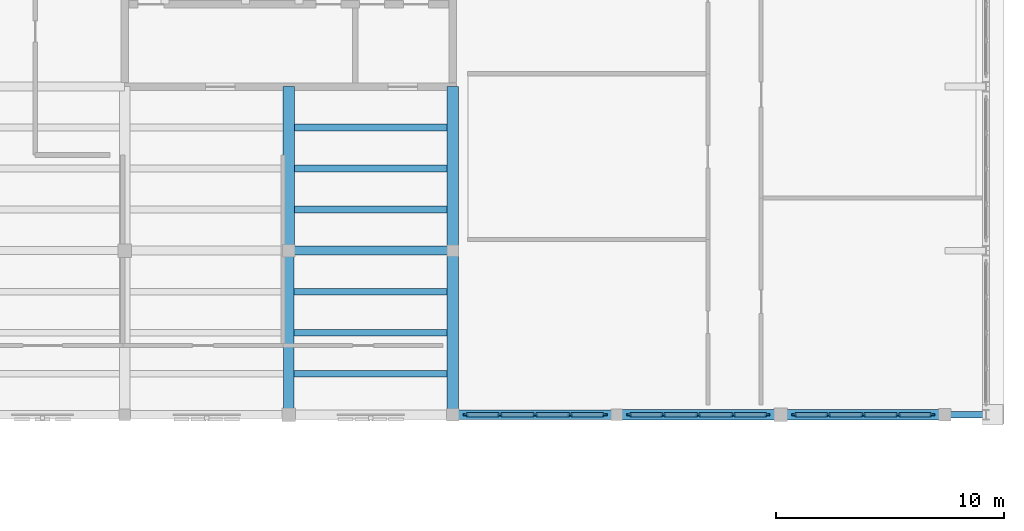
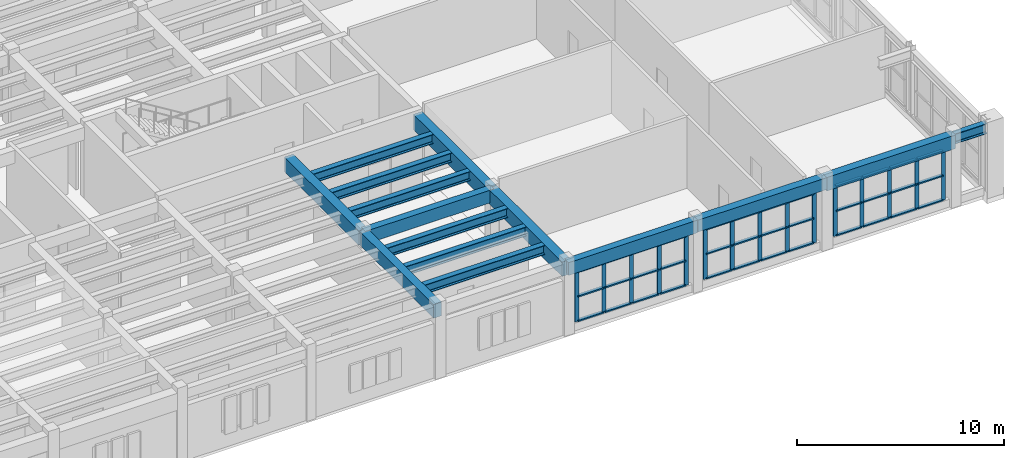
# One storey, part 4 of 18: 51 members, 15 beams, 3 elements without a shape of their own.
"""IFC4 building model written with IfcOpenShell, lengths in metres."""

from ifc_helpers import new_model, si_unit, direction, frame, origin, origin_2d, place, context, subcontext, project, spatial, rectangle, i_section, extrude, material, material_profile, profile_set, type_object, element, aggregate, save


model = new_model("IFC4")

# Units and contexts
model_context = context("Model", 3, precision=1e-05, world=origin(), true_north=direction((0.0, 1.0)))
body_context = subcontext(model_context, "Body", "Model", "MODEL_VIEW")
ifc_project = project(units=[si_unit("LENGTHUNIT", "METRE"), si_unit("AREAUNIT", "SQUARE_METRE"), si_unit("VOLUMEUNIT", "CUBIC_METRE"), si_unit("PLANEANGLEUNIT", "RADIAN"), si_unit("MASSUNIT", "GRAM", prefix="KILO")], contexts=[model_context])

# Site, building, storey
site_placement = place(None, origin())
site = spatial("IfcSite", under=ifc_project, at=site_placement, CompositionType="ELEMENT")
building_placement = place(site_placement, origin())
building = spatial("IfcBuilding", under=site, at=building_placement, Name="Mithqara Police Headquarters", CompositionType="ELEMENT")
storey_placement = place(building_placement, frame((0.0, 0.0, 26.39990234375)))
storey = spatial("IfcBuildingStorey", under=building, at=storey_placement, Name="L06", CompositionType="ELEMENT", Elevation=26.39990234375)

# Beams
ifc_material_1 = material(Name="Steel S355JR", Category="steel")
ifc_material_profile_1 = material_profile(ifc_material_1, i_section(OverallWidth=0.300048828125, OverallDepth=0.550048828125, WebThickness=0.014892578125, FlangeThickness=0.029052734375, FilletRadius=0.027099609375, at=origin_2d()), Name="HEB 550")
ifc_profile_set_1 = profile_set([ifc_material_profile_1], Name="Steel S355JR")
beam_type_1 = type_object("IfcBeamType", Name="BEAM HEB550", PredefinedType="BEAM", material=ifc_profile_set_1)
for number, where, z_axis, x_axis, name in (
    (1, (137.625, 80.39990234375, 3.945068359375), (1.0, 0.0, 0.0), (0.0, 1.0, 0.0), "L06 Composite Steel Joist 20-21/M.1"),
    (2, (137.625, 82.199951171875, 3.945068359375), (1.0, 0.0, 0.0), (0.0, 1.0, 0.0), "L06 Composite Steel Joist 20-21/M.2"),
    (3, (137.625, 84.0, 3.945068359375), (1.0, 0.0, 0.0), (0.0, 1.0, 0.0), "L06 Composite Steel Joist 20-21/M.3"),
):
    element("IfcBeam", number, at=place(storey_placement, frame(where, z_axis=z_axis, x_axis=x_axis)), inside=storey, type_object=beam_type_1, Name=name, PredefinedType="BEAM", context=body_context, shape_type="SweptSolid", body=[
        extrude(i_section(OverallWidth=0.300048828125, OverallDepth=0.550048828125, WebThickness=0.014892578125, FlangeThickness=0.029052734375, FilletRadius=0.027099609375, at=origin_2d()), origin(), (0.0, 0.0, 1.0), 6.72509765625),
    ])
for number, where, z_axis, x_axis, name in (
    (4, (137.64990234375, 87.60009765625, 3.945068359375), (1.0, 0.0, 0.0), (0.0, 1.0, 0.0), "L06 Composite Steel Joist 20-21/N.1"),
    (5, (137.64990234375, 89.39990234375, 3.945068359375), (1.0, 0.0, 0.0), (0.0, 1.0, 0.0), "L06 Composite Steel Joist 20-21/N.2"),
    (6, (137.64990234375, 91.199951171875, 3.945068359375), (1.0, 0.0, 0.0), (0.0, 1.0, 0.0), "L06 Composite Steel Joist 20-21/N.3"),
):
    element("IfcBeam", number, at=place(storey_placement, frame(where, z_axis=z_axis, x_axis=x_axis)), inside=storey, type_object=beam_type_1, Name=name, PredefinedType="BEAM", context=body_context, shape_type="SweptSolid", body=[
        extrude(i_section(OverallWidth=0.300048828125, OverallDepth=0.550048828125, WebThickness=0.014892578125, FlangeThickness=0.029052734375, FilletRadius=0.027099609375, at=origin_2d()), origin(), (0.0, 0.0, 1.0), 6.7001953125),
    ])
ifc_material_2 = material(Name="Concrete C40/50", Category="concrete")
ifc_material_profile_2 = material_profile(ifc_material_2, rectangle(XDim=0.39990234375, YDim=0.75, at=origin_2d()), Name="RC 400x750")
ifc_profile_set_2 = profile_set([ifc_material_profile_2], Name="Concrete C40/50")
beam_type_2 = type_object("IfcBeamType", Name="BEAM RC400X750", PredefinedType="BEAM", material=ifc_profile_set_2)
beam_1_placement = place(storey_placement, frame((137.39990234375, 85.800048828125, 3.84521484375), z_axis=(1.0, 0.0, 0.0), x_axis=(0.0, 1.0, 0.0)))
element("IfcBeam", 7, at=beam_1_placement, inside=storey, type_object=beam_type_2, Name="L06 Girder 20-21/N", PredefinedType="BEAM", context=body_context, shape_type="SweptSolid", body=[
    extrude(rectangle(XDim=0.39990234375, YDim=0.75, at=origin_2d()), origin(), (0.0, 0.0, 1.0), 7.2001953125),
])
beam_2_placement = place(storey_placement, frame((144.60009765625, 78.60009765625, 3.84521484375), z_axis=(1.0, 0.0, 0.0), x_axis=(0.0, 1.0, 0.0)))
element("IfcBeam", 8, at=beam_2_placement, inside=storey, type_object=beam_type_2, Name="L06 Girder 21-22/M", PredefinedType="BEAM", context=body_context, shape_type="SweptSolid", body=[
    extrude(rectangle(XDim=0.39990234375, YDim=0.75, at=origin_2d()), origin(), (0.0, 0.0, 1.0), 7.199951171875),
])
ifc_material_profile_3 = material_profile(ifc_material_2, rectangle(XDim=0.449951171875, YDim=0.699951171875, at=origin_2d()), Name="RC 450x700")
ifc_profile_set_3 = profile_set([ifc_material_profile_3], Name="Concrete C40/50")
beam_type_3 = type_object("IfcBeamType", Name="BEAM RC450X700", PredefinedType="BEAM", material=ifc_profile_set_3)
beam_3_placement = place(storey_placement, frame((151.800048828125, 78.60009765625, 3.8701171875), z_axis=(1.0, 0.0, 0.0), x_axis=(0.0, 1.0, 0.0)))
element("IfcBeam", 9, at=beam_3_placement, inside=storey, type_object=beam_type_3, Name="L06 Girder 22-23/M", PredefinedType="BEAM", context=body_context, shape_type="SweptSolid", body=[
    extrude(rectangle(XDim=0.449951171875, YDim=0.699951171875, at=origin_2d()), origin(), (0.0, 0.0, 1.0), 7.199951171875),
])
ifc_material_profile_4 = material_profile(ifc_material_2, rectangle(XDim=0.449951171875, YDim=0.800048828125, at=origin_2d()), Name="RC 450x800")
ifc_profile_set_4 = profile_set([ifc_material_profile_4], Name="Concrete C40/50")
beam_type_4 = type_object("IfcBeamType", Name="BEAM RC450X800", PredefinedType="BEAM", material=ifc_profile_set_4)
for number, where, z_axis, x_axis, name in (
    (10, (137.39990234375, 78.60009765625, 3.820068359375), (0.0, 1.0, 0.0), (-1.0, 0.0, 0.0), "L06 Girder 20/M-N"),
    (11, (159.0, 78.60009765625, 3.820068359375), (1.0, 0.0, 0.0), (0.0, 1.0, 0.0), "L06 Girder 23-24/M"),
):
    element("IfcBeam", number, at=place(storey_placement, frame(where, z_axis=z_axis, x_axis=x_axis)), inside=storey, type_object=beam_type_4, Name=name, PredefinedType="BEAM", context=body_context, shape_type="SweptSolid", body=[
        extrude(rectangle(XDim=0.449951171875, YDim=0.800048828125, at=origin_2d()), origin(), (0.0, 0.0, 1.0), 7.199951171875),
    ])
ifc_material_profile_5 = material_profile(ifc_material_2, rectangle(XDim=0.5, YDim=0.85009765625, at=origin_2d()), Name="RC 500x850")
ifc_profile_set_5 = profile_set([ifc_material_profile_5], Name="Concrete C40/50")
beam_type_5 = type_object("IfcBeamType", Name="BEAM RC500X850", PredefinedType="BEAM", material=ifc_profile_set_5)
for number, where, z_axis, x_axis, name in (
    (12, (137.39990234375, 85.800048828125, 3.795166015625), (0.0, 1.0, 0.0), (-1.0, 0.0, 0.0), "L06 Girder 20/N-P"),
    (13, (144.60009765625, 78.60009765625, 3.795166015625), (0.0, 1.0, 0.0), (-1.0, 0.0, 0.0), "L06 Girder 21/M-N"),
):
    element("IfcBeam", number, at=place(storey_placement, frame(where, z_axis=z_axis, x_axis=x_axis)), inside=storey, type_object=beam_type_5, Name=name, PredefinedType="BEAM", context=body_context, shape_type="SweptSolid", body=[
        extrude(rectangle(XDim=0.5, YDim=0.85009765625, at=origin_2d()), origin(), (0.0, 0.0, 1.0), 7.199951171875),
    ])
ifc_material_3 = material(Name="Concrete C50/60", Category="concrete")
ifc_material_profile_6 = material_profile(ifc_material_3, rectangle(XDim=0.5, YDim=0.89990234375, at=origin_2d()), Name="RC 500x900")
ifc_profile_set_6 = profile_set([ifc_material_profile_6], Name="Concrete C50/60")
beam_type_6 = type_object("IfcBeamType", Name="BEAM RC500X900", PredefinedType="BEAM", material=ifc_profile_set_6)
beam_4_placement = place(storey_placement, frame((144.60009765625, 85.800048828125, 3.77001953125), z_axis=(0.0, 1.0, 0.0), x_axis=(-1.0, 0.0, 0.0)))
element("IfcBeam", 14, at=beam_4_placement, inside=storey, type_object=beam_type_6, Name="L06 Girder 21/N-P", PredefinedType="BEAM", context=body_context, shape_type="SweptSolid", body=[
    extrude(rectangle(XDim=0.5, YDim=0.89990234375, at=origin_2d()), origin(), (0.0, 0.0, 1.0), 7.199951171875),
])

# Curtain wall, members
ifc_material_4 = material(Name="Bronze anodised aluminium 6063-T6", Category="aluminium")
curtain_wall_type_1 = type_object("IfcCurtainWallType", Name="CURTAIN WALL 6175X2970", PredefinedType="USERDEFINED", material=ifc_material_4)
curtain_wall_1_placement = place(storey_placement, origin())
curtain_wall_1 = element("IfcCurtainWall", 15, at=curtain_wall_1_placement, inside=storey, type_object=curtain_wall_type_1, Name="L06 Unitised Glazing CW-01 (CW-CUBE-L06-P0-E01-S0-00)", ObjectType="UNITISED GLAZING", PredefinedType="USERDEFINED")
ifc_material_profile_7 = material_profile(ifc_material_4, rectangle(XDim=0.074951171875, YDim=0.219970703125, at=origin_2d()), Name="CWM 75x220")
ifc_profile_set_7 = profile_set([ifc_material_profile_7], Name="Bronze anodised aluminium 6063-T6")
member_type_1 = type_object("IfcMemberType", Name="CWMULLION 75X220", PredefinedType="MULLION", material=ifc_profile_set_7)
member_1_placement = place(storey_placement, frame((145.16259765625, 78.60009765625, 0.4501953125), z_axis=(0.0, 0.0, 1.0), x_axis=(0.0, 1.0, 0.0)))
member_1 = element("IfcMember", 16, at=member_1_placement, type_object=member_type_1, Name="CW-01 mullion 1", PredefinedType="MULLION", context=body_context, shape_type="SweptSolid", body=[
    extrude(rectangle(XDim=0.074951171875, YDim=0.219970703125, at=origin_2d()), origin(), (0.0, 0.0, 1.0), 2.969970703125),
])
member_2_placement = place(storey_placement, frame((146.668701171875, 78.60009765625, 0.4501953125), z_axis=(0.0, 0.0, 1.0), x_axis=(0.0, 1.0, 0.0)))
member_2 = element("IfcMember", 17, at=member_2_placement, type_object=member_type_1, Name="CW-01 mullion 2", PredefinedType="MULLION", context=body_context, shape_type="SweptSolid", body=[
    extrude(rectangle(XDim=0.074951171875, YDim=0.219970703125, at=origin_2d()), origin(), (0.0, 0.0, 1.0), 2.969970703125),
])
member_3_placement = place(storey_placement, frame((148.21240234375, 78.60009765625, 0.4501953125), z_axis=(0.0, 0.0, 1.0), x_axis=(0.0, 1.0, 0.0)))
member_3 = element("IfcMember", 18, at=member_3_placement, type_object=member_type_1, Name="CW-01 mullion 3", PredefinedType="MULLION", context=body_context, shape_type="SweptSolid", body=[
    extrude(rectangle(XDim=0.074951171875, YDim=0.219970703125, at=origin_2d()), origin(), (0.0, 0.0, 1.0), 2.969970703125),
])
member_4_placement = place(storey_placement, frame((149.75634765625, 78.60009765625, 0.4501953125), z_axis=(0.0, 0.0, 1.0), x_axis=(0.0, 1.0, 0.0)))
member_4 = element("IfcMember", 19, at=member_4_placement, type_object=member_type_1, Name="CW-01 mullion 4", PredefinedType="MULLION", context=body_context, shape_type="SweptSolid", body=[
    extrude(rectangle(XDim=0.074951171875, YDim=0.219970703125, at=origin_2d()), origin(), (0.0, 0.0, 1.0), 2.969970703125),
])
member_5_placement = place(storey_placement, frame((151.262451171875, 78.60009765625, 0.4501953125), z_axis=(0.0, 0.0, 1.0), x_axis=(0.0, 1.0, 0.0)))
member_5 = element("IfcMember", 20, at=member_5_placement, type_object=member_type_1, Name="CW-01 mullion 5", PredefinedType="MULLION", context=body_context, shape_type="SweptSolid", body=[
    extrude(rectangle(XDim=0.074951171875, YDim=0.219970703125, at=origin_2d()), origin(), (0.0, 0.0, 1.0), 2.969970703125),
])

curtain_wall_type_2 = type_object("IfcCurtainWallType", Name="CURTAIN WALL 6150X2970", PredefinedType="USERDEFINED", material=ifc_material_4)
curtain_wall_2_placement = place(storey_placement, origin())
curtain_wall_2 = element("IfcCurtainWall", 21, at=curtain_wall_2_placement, inside=storey, type_object=curtain_wall_type_2, Name="L06 Unitised Glazing CW-02 (CW-CUBE-L06-P0-E01-S0-01)", ObjectType="UNITISED GLAZING", PredefinedType="USERDEFINED")
member_6_placement = place(storey_placement, frame((152.33740234375, 78.60009765625, 0.4501953125), z_axis=(0.0, 0.0, 1.0), x_axis=(0.0, 1.0, 0.0)))
member_6 = element("IfcMember", 22, at=member_6_placement, type_object=member_type_1, Name="CW-02 mullion 1", PredefinedType="MULLION", context=body_context, shape_type="SweptSolid", body=[
    extrude(rectangle(XDim=0.074951171875, YDim=0.219970703125, at=origin_2d()), origin(), (0.0, 0.0, 1.0), 2.969970703125),
])
member_7_placement = place(storey_placement, frame((153.83740234375, 78.60009765625, 0.4501953125), z_axis=(0.0, 0.0, 1.0), x_axis=(0.0, 1.0, 0.0)))
member_7 = element("IfcMember", 23, at=member_7_placement, type_object=member_type_1, Name="CW-02 mullion 2", PredefinedType="MULLION", context=body_context, shape_type="SweptSolid", body=[
    extrude(rectangle(XDim=0.074951171875, YDim=0.219970703125, at=origin_2d()), origin(), (0.0, 0.0, 1.0), 2.969970703125),
])
member_8_placement = place(storey_placement, frame((155.375, 78.60009765625, 0.4501953125), z_axis=(0.0, 0.0, 1.0), x_axis=(0.0, 1.0, 0.0)))
member_8 = element("IfcMember", 24, at=member_8_placement, type_object=member_type_1, Name="CW-02 mullion 3", PredefinedType="MULLION", context=body_context, shape_type="SweptSolid", body=[
    extrude(rectangle(XDim=0.074951171875, YDim=0.219970703125, at=origin_2d()), origin(), (0.0, 0.0, 1.0), 2.969970703125),
])
member_9_placement = place(storey_placement, frame((156.91259765625, 78.60009765625, 0.4501953125), z_axis=(0.0, 0.0, 1.0), x_axis=(0.0, 1.0, 0.0)))
member_9 = element("IfcMember", 25, at=member_9_placement, type_object=member_type_1, Name="CW-02 mullion 4", PredefinedType="MULLION", context=body_context, shape_type="SweptSolid", body=[
    extrude(rectangle(XDim=0.074951171875, YDim=0.219970703125, at=origin_2d()), origin(), (0.0, 0.0, 1.0), 2.969970703125),
])
member_10_placement = place(storey_placement, frame((158.41259765625, 78.60009765625, 0.4501953125), z_axis=(0.0, 0.0, 1.0), x_axis=(0.0, 1.0, 0.0)))
member_10 = element("IfcMember", 26, at=member_10_placement, type_object=member_type_1, Name="CW-02 mullion 5", PredefinedType="MULLION", context=body_context, shape_type="SweptSolid", body=[
    extrude(rectangle(XDim=0.074951171875, YDim=0.219970703125, at=origin_2d()), origin(), (0.0, 0.0, 1.0), 2.969970703125),
])

curtain_wall_type_3 = type_object("IfcCurtainWallType", Name="CURTAIN WALL 6125X2970", PredefinedType="USERDEFINED", material=ifc_material_4)
curtain_wall_3_placement = place(storey_placement, origin())
curtain_wall_3 = element("IfcCurtainWall", 27, at=curtain_wall_3_placement, inside=storey, type_object=curtain_wall_type_3, Name="L06 Unitised Glazing CW-03 (CW-CUBE-L06-P0-E01-S0-02)", ObjectType="UNITISED GLAZING", PredefinedType="USERDEFINED")
member_11_placement = place(storey_placement, frame((159.58740234375, 78.60009765625, 0.4501953125), z_axis=(0.0, 0.0, 1.0), x_axis=(0.0, 1.0, 0.0)))
member_11 = element("IfcMember", 28, at=member_11_placement, type_object=member_type_1, Name="CW-03 mullion 1", PredefinedType="MULLION", context=body_context, shape_type="SweptSolid", body=[
    extrude(rectangle(XDim=0.074951171875, YDim=0.219970703125, at=origin_2d()), origin(), (0.0, 0.0, 1.0), 2.969970703125),
])
member_12_placement = place(storey_placement, frame((161.081298828125, 78.60009765625, 0.4501953125), z_axis=(0.0, 0.0, 1.0), x_axis=(0.0, 1.0, 0.0)))
member_12 = element("IfcMember", 29, at=member_12_placement, type_object=member_type_1, Name="CW-03 mullion 2", PredefinedType="MULLION", context=body_context, shape_type="SweptSolid", body=[
    extrude(rectangle(XDim=0.074951171875, YDim=0.219970703125, at=origin_2d()), origin(), (0.0, 0.0, 1.0), 2.969970703125),
])
member_13_placement = place(storey_placement, frame((162.612548828125, 78.60009765625, 0.4501953125), z_axis=(0.0, 0.0, 1.0), x_axis=(0.0, 1.0, 0.0)))
member_13 = element("IfcMember", 30, at=member_13_placement, type_object=member_type_1, Name="CW-03 mullion 3", PredefinedType="MULLION", context=body_context, shape_type="SweptSolid", body=[
    extrude(rectangle(XDim=0.074951171875, YDim=0.219970703125, at=origin_2d()), origin(), (0.0, 0.0, 1.0), 2.969970703125),
])
member_14_placement = place(storey_placement, frame((164.143798828125, 78.60009765625, 0.4501953125), z_axis=(0.0, 0.0, 1.0), x_axis=(0.0, 1.0, 0.0)))
member_14 = element("IfcMember", 31, at=member_14_placement, type_object=member_type_1, Name="CW-03 mullion 4", PredefinedType="MULLION", context=body_context, shape_type="SweptSolid", body=[
    extrude(rectangle(XDim=0.074951171875, YDim=0.219970703125, at=origin_2d()), origin(), (0.0, 0.0, 1.0), 2.969970703125),
])
member_15_placement = place(storey_placement, frame((165.637451171875, 78.60009765625, 0.4501953125), z_axis=(0.0, 0.0, 1.0), x_axis=(0.0, 1.0, 0.0)))
member_15 = element("IfcMember", 32, at=member_15_placement, type_object=member_type_1, Name="CW-03 mullion 5", PredefinedType="MULLION", context=body_context, shape_type="SweptSolid", body=[
    extrude(rectangle(XDim=0.074951171875, YDim=0.219970703125, at=origin_2d()), origin(), (0.0, 0.0, 1.0), 2.969970703125),
])

# Member
ifc_material_profile_8 = material_profile(ifc_material_4, rectangle(XDim=0.179931640625, YDim=0.074951171875, at=origin_2d()), Name="CWT 180x75")
ifc_profile_set_8 = profile_set([ifc_material_profile_8], Name="Bronze anodised aluminium 6063-T6")
member_type_2 = type_object("IfcMemberType", Name="CWTRANSOM 180X75", PredefinedType="USERDEFINED", material=ifc_profile_set_8)
member_16_placement = place(storey_placement, frame((145.199951171875, 78.60009765625, 0.487548828125), z_axis=(1.0, 0.0, 0.0), x_axis=(0.0, 1.0, 0.0)))
member_16 = element("IfcMember", 33, at=member_16_placement, type_object=member_type_2, Name="CW-01 transom 1.1", ObjectType="TRANSOM", PredefinedType="USERDEFINED", context=body_context, shape_type="SweptSolid", body=[
    extrude(rectangle(XDim=0.179931640625, YDim=0.074951171875, at=origin_2d()), origin(), (0.0, 0.0, 1.0), 1.431396484375),
])

member_17_placement = place(storey_placement, frame((145.199951171875, 78.60009765625, 1.93505859375), z_axis=(1.0, 0.0, 0.0), x_axis=(0.0, 1.0, 0.0)))
member_17 = element("IfcMember", 34, at=member_17_placement, type_object=member_type_2, Name="CW-01 transom 1.2", ObjectType="TRANSOM", PredefinedType="USERDEFINED", context=body_context, shape_type="SweptSolid", body=[
    extrude(rectangle(XDim=0.179931640625, YDim=0.074951171875, at=origin_2d()), origin(), (0.0, 0.0, 1.0), 1.431396484375),
])

member_18_placement = place(storey_placement, frame((145.199951171875, 78.60009765625, 3.382568359375), z_axis=(1.0, 0.0, 0.0), x_axis=(0.0, 1.0, 0.0)))
member_18 = element("IfcMember", 35, at=member_18_placement, type_object=member_type_2, Name="CW-01 transom 1.3", ObjectType="TRANSOM", PredefinedType="USERDEFINED", context=body_context, shape_type="SweptSolid", body=[
    extrude(rectangle(XDim=0.179931640625, YDim=0.074951171875, at=origin_2d()), origin(), (0.0, 0.0, 1.0), 1.431396484375),
])

member_19_placement = place(storey_placement, frame((146.706298828125, 78.60009765625, 0.487548828125), z_axis=(1.0, 0.0, 0.0), x_axis=(0.0, 1.0, 0.0)))
member_19 = element("IfcMember", 36, at=member_19_placement, type_object=member_type_2, Name="CW-01 transom 2.1", ObjectType="TRANSOM", PredefinedType="USERDEFINED", context=body_context, shape_type="SweptSolid", body=[
    extrude(rectangle(XDim=0.179931640625, YDim=0.074951171875, at=origin_2d()), origin(), (0.0, 0.0, 1.0), 1.46875),
])

member_20_placement = place(storey_placement, frame((146.706298828125, 78.60009765625, 1.93505859375), z_axis=(1.0, 0.0, 0.0), x_axis=(0.0, 1.0, 0.0)))
member_20 = element("IfcMember", 37, at=member_20_placement, type_object=member_type_2, Name="CW-01 transom 2.2", ObjectType="TRANSOM", PredefinedType="USERDEFINED", context=body_context, shape_type="SweptSolid", body=[
    extrude(rectangle(XDim=0.179931640625, YDim=0.074951171875, at=origin_2d()), origin(), (0.0, 0.0, 1.0), 1.46875),
])

member_21_placement = place(storey_placement, frame((146.706298828125, 78.60009765625, 3.382568359375), z_axis=(1.0, 0.0, 0.0), x_axis=(0.0, 1.0, 0.0)))
member_21 = element("IfcMember", 38, at=member_21_placement, type_object=member_type_2, Name="CW-01 transom 2.3", ObjectType="TRANSOM", PredefinedType="USERDEFINED", context=body_context, shape_type="SweptSolid", body=[
    extrude(rectangle(XDim=0.179931640625, YDim=0.074951171875, at=origin_2d()), origin(), (0.0, 0.0, 1.0), 1.46875),
])

member_22_placement = place(storey_placement, frame((148.25, 78.60009765625, 0.487548828125), z_axis=(1.0, 0.0, 0.0), x_axis=(0.0, 1.0, 0.0)))
member_22 = element("IfcMember", 39, at=member_22_placement, type_object=member_type_2, Name="CW-01 transom 3.1", ObjectType="TRANSOM", PredefinedType="USERDEFINED", context=body_context, shape_type="SweptSolid", body=[
    extrude(rectangle(XDim=0.179931640625, YDim=0.074951171875, at=origin_2d()), origin(), (0.0, 0.0, 1.0), 1.46875),
])

member_23_placement = place(storey_placement, frame((148.25, 78.60009765625, 1.93505859375), z_axis=(1.0, 0.0, 0.0), x_axis=(0.0, 1.0, 0.0)))
member_23 = element("IfcMember", 40, at=member_23_placement, type_object=member_type_2, Name="CW-01 transom 3.2", ObjectType="TRANSOM", PredefinedType="USERDEFINED", context=body_context, shape_type="SweptSolid", body=[
    extrude(rectangle(XDim=0.179931640625, YDim=0.074951171875, at=origin_2d()), origin(), (0.0, 0.0, 1.0), 1.46875),
])

member_24_placement = place(storey_placement, frame((148.25, 78.60009765625, 3.382568359375), z_axis=(1.0, 0.0, 0.0), x_axis=(0.0, 1.0, 0.0)))
member_24 = element("IfcMember", 41, at=member_24_placement, type_object=member_type_2, Name="CW-01 transom 3.3", ObjectType="TRANSOM", PredefinedType="USERDEFINED", context=body_context, shape_type="SweptSolid", body=[
    extrude(rectangle(XDim=0.179931640625, YDim=0.074951171875, at=origin_2d()), origin(), (0.0, 0.0, 1.0), 1.46875),
])

member_25_placement = place(storey_placement, frame((149.793701171875, 78.60009765625, 0.487548828125), z_axis=(1.0, 0.0, 0.0), x_axis=(0.0, 1.0, 0.0)))
member_25 = element("IfcMember", 42, at=member_25_placement, type_object=member_type_2, Name="CW-01 transom 4.1", ObjectType="TRANSOM", PredefinedType="USERDEFINED", context=body_context, shape_type="SweptSolid", body=[
    extrude(rectangle(XDim=0.179931640625, YDim=0.074951171875, at=origin_2d()), origin(), (0.0, 0.0, 1.0), 1.431396484375),
])

member_26_placement = place(storey_placement, frame((149.793701171875, 78.60009765625, 1.93505859375), z_axis=(1.0, 0.0, 0.0), x_axis=(0.0, 1.0, 0.0)))
member_26 = element("IfcMember", 43, at=member_26_placement, type_object=member_type_2, Name="CW-01 transom 4.2", ObjectType="TRANSOM", PredefinedType="USERDEFINED", context=body_context, shape_type="SweptSolid", body=[
    extrude(rectangle(XDim=0.179931640625, YDim=0.074951171875, at=origin_2d()), origin(), (0.0, 0.0, 1.0), 1.431396484375),
])

member_27_placement = place(storey_placement, frame((149.793701171875, 78.60009765625, 3.382568359375), z_axis=(1.0, 0.0, 0.0), x_axis=(0.0, 1.0, 0.0)))
member_27 = element("IfcMember", 44, at=member_27_placement, type_object=member_type_2, Name="CW-01 transom 4.3", ObjectType="TRANSOM", PredefinedType="USERDEFINED", context=body_context, shape_type="SweptSolid", body=[
    extrude(rectangle(XDim=0.179931640625, YDim=0.074951171875, at=origin_2d()), origin(), (0.0, 0.0, 1.0), 1.431396484375),
])

aggregate(curtain_wall_1, [member_1, member_2, member_3, member_4, member_5, member_16, member_17, member_18, member_19, member_20, member_21, member_22, member_23, member_24, member_25, member_26, member_27])

member_28_placement = place(storey_placement, frame((152.375, 78.60009765625, 0.487548828125), z_axis=(1.0, 0.0, 0.0), x_axis=(0.0, 1.0, 0.0)))
member_28 = element("IfcMember", 45, at=member_28_placement, type_object=member_type_2, Name="CW-02 transom 1.1", ObjectType="TRANSOM", PredefinedType="USERDEFINED", context=body_context, shape_type="SweptSolid", body=[
    extrude(rectangle(XDim=0.179931640625, YDim=0.074951171875, at=origin_2d()), origin(), (0.0, 0.0, 1.0), 1.425048828125),
])

member_29_placement = place(storey_placement, frame((152.375, 78.60009765625, 1.93505859375), z_axis=(1.0, 0.0, 0.0), x_axis=(0.0, 1.0, 0.0)))
member_29 = element("IfcMember", 46, at=member_29_placement, type_object=member_type_2, Name="CW-02 transom 1.2", ObjectType="TRANSOM", PredefinedType="USERDEFINED", context=body_context, shape_type="SweptSolid", body=[
    extrude(rectangle(XDim=0.179931640625, YDim=0.074951171875, at=origin_2d()), origin(), (0.0, 0.0, 1.0), 1.425048828125),
])

member_30_placement = place(storey_placement, frame((152.375, 78.60009765625, 3.382568359375), z_axis=(1.0, 0.0, 0.0), x_axis=(0.0, 1.0, 0.0)))
member_30 = element("IfcMember", 47, at=member_30_placement, type_object=member_type_2, Name="CW-02 transom 1.3", ObjectType="TRANSOM", PredefinedType="USERDEFINED", context=body_context, shape_type="SweptSolid", body=[
    extrude(rectangle(XDim=0.179931640625, YDim=0.074951171875, at=origin_2d()), origin(), (0.0, 0.0, 1.0), 1.425048828125),
])

member_31_placement = place(storey_placement, frame((153.875, 78.60009765625, 0.487548828125), z_axis=(1.0, 0.0, 0.0), x_axis=(0.0, 1.0, 0.0)))
member_31 = element("IfcMember", 48, at=member_31_placement, type_object=member_type_2, Name="CW-02 transom 2.1", ObjectType="TRANSOM", PredefinedType="USERDEFINED", context=body_context, shape_type="SweptSolid", body=[
    extrude(rectangle(XDim=0.179931640625, YDim=0.074951171875, at=origin_2d()), origin(), (0.0, 0.0, 1.0), 1.46240234375),
])

member_32_placement = place(storey_placement, frame((153.875, 78.60009765625, 1.93505859375), z_axis=(1.0, 0.0, 0.0), x_axis=(0.0, 1.0, 0.0)))
member_32 = element("IfcMember", 49, at=member_32_placement, type_object=member_type_2, Name="CW-02 transom 2.2", ObjectType="TRANSOM", PredefinedType="USERDEFINED", context=body_context, shape_type="SweptSolid", body=[
    extrude(rectangle(XDim=0.179931640625, YDim=0.074951171875, at=origin_2d()), origin(), (0.0, 0.0, 1.0), 1.46240234375),
])

member_33_placement = place(storey_placement, frame((153.875, 78.60009765625, 3.382568359375), z_axis=(1.0, 0.0, 0.0), x_axis=(0.0, 1.0, 0.0)))
member_33 = element("IfcMember", 50, at=member_33_placement, type_object=member_type_2, Name="CW-02 transom 2.3", ObjectType="TRANSOM", PredefinedType="USERDEFINED", context=body_context, shape_type="SweptSolid", body=[
    extrude(rectangle(XDim=0.179931640625, YDim=0.074951171875, at=origin_2d()), origin(), (0.0, 0.0, 1.0), 1.46240234375),
])

member_34_placement = place(storey_placement, frame((155.41259765625, 78.60009765625, 0.487548828125), z_axis=(1.0, 0.0, 0.0), x_axis=(0.0, 1.0, 0.0)))
member_34 = element("IfcMember", 51, at=member_34_placement, type_object=member_type_2, Name="CW-02 transom 3.1", ObjectType="TRANSOM", PredefinedType="USERDEFINED", context=body_context, shape_type="SweptSolid", body=[
    extrude(rectangle(XDim=0.179931640625, YDim=0.074951171875, at=origin_2d()), origin(), (0.0, 0.0, 1.0), 1.46240234375),
])

member_35_placement = place(storey_placement, frame((155.41259765625, 78.60009765625, 1.93505859375), z_axis=(1.0, 0.0, 0.0), x_axis=(0.0, 1.0, 0.0)))
member_35 = element("IfcMember", 52, at=member_35_placement, type_object=member_type_2, Name="CW-02 transom 3.2", ObjectType="TRANSOM", PredefinedType="USERDEFINED", context=body_context, shape_type="SweptSolid", body=[
    extrude(rectangle(XDim=0.179931640625, YDim=0.074951171875, at=origin_2d()), origin(), (0.0, 0.0, 1.0), 1.46240234375),
])

member_36_placement = place(storey_placement, frame((155.41259765625, 78.60009765625, 3.382568359375), z_axis=(1.0, 0.0, 0.0), x_axis=(0.0, 1.0, 0.0)))
member_36 = element("IfcMember", 53, at=member_36_placement, type_object=member_type_2, Name="CW-02 transom 3.3", ObjectType="TRANSOM", PredefinedType="USERDEFINED", context=body_context, shape_type="SweptSolid", body=[
    extrude(rectangle(XDim=0.179931640625, YDim=0.074951171875, at=origin_2d()), origin(), (0.0, 0.0, 1.0), 1.46240234375),
])

member_37_placement = place(storey_placement, frame((156.949951171875, 78.60009765625, 0.487548828125), z_axis=(1.0, 0.0, 0.0), x_axis=(0.0, 1.0, 0.0)))
member_37 = element("IfcMember", 54, at=member_37_placement, type_object=member_type_2, Name="CW-02 transom 4.1", ObjectType="TRANSOM", PredefinedType="USERDEFINED", context=body_context, shape_type="SweptSolid", body=[
    extrude(rectangle(XDim=0.179931640625, YDim=0.074951171875, at=origin_2d()), origin(), (0.0, 0.0, 1.0), 1.425048828125),
])

member_38_placement = place(storey_placement, frame((156.949951171875, 78.60009765625, 1.93505859375), z_axis=(1.0, 0.0, 0.0), x_axis=(0.0, 1.0, 0.0)))
member_38 = element("IfcMember", 55, at=member_38_placement, type_object=member_type_2, Name="CW-02 transom 4.2", ObjectType="TRANSOM", PredefinedType="USERDEFINED", context=body_context, shape_type="SweptSolid", body=[
    extrude(rectangle(XDim=0.179931640625, YDim=0.074951171875, at=origin_2d()), origin(), (0.0, 0.0, 1.0), 1.425048828125),
])

member_39_placement = place(storey_placement, frame((156.949951171875, 78.60009765625, 3.382568359375), z_axis=(1.0, 0.0, 0.0), x_axis=(0.0, 1.0, 0.0)))
member_39 = element("IfcMember", 56, at=member_39_placement, type_object=member_type_2, Name="CW-02 transom 4.3", ObjectType="TRANSOM", PredefinedType="USERDEFINED", context=body_context, shape_type="SweptSolid", body=[
    extrude(rectangle(XDim=0.179931640625, YDim=0.074951171875, at=origin_2d()), origin(), (0.0, 0.0, 1.0), 1.425048828125),
])

aggregate(curtain_wall_2, [member_6, member_7, member_8, member_9, member_10, member_28, member_29, member_30, member_31, member_32, member_33, member_34, member_35, member_36, member_37, member_38, member_39])

member_40_placement = place(storey_placement, frame((159.625, 78.60009765625, 0.487548828125), z_axis=(1.0, 0.0, 0.0), x_axis=(0.0, 1.0, 0.0)))
member_40 = element("IfcMember", 57, at=member_40_placement, type_object=member_type_2, Name="CW-03 transom 1.1", ObjectType="TRANSOM", PredefinedType="USERDEFINED", context=body_context, shape_type="SweptSolid", body=[
    extrude(rectangle(XDim=0.179931640625, YDim=0.074951171875, at=origin_2d()), origin(), (0.0, 0.0, 1.0), 1.418701171875),
])

member_41_placement = place(storey_placement, frame((159.625, 78.60009765625, 1.93505859375), z_axis=(1.0, 0.0, 0.0), x_axis=(0.0, 1.0, 0.0)))
member_41 = element("IfcMember", 58, at=member_41_placement, type_object=member_type_2, Name="CW-03 transom 1.2", ObjectType="TRANSOM", PredefinedType="USERDEFINED", context=body_context, shape_type="SweptSolid", body=[
    extrude(rectangle(XDim=0.179931640625, YDim=0.074951171875, at=origin_2d()), origin(), (0.0, 0.0, 1.0), 1.418701171875),
])

member_42_placement = place(storey_placement, frame((159.625, 78.60009765625, 3.382568359375), z_axis=(1.0, 0.0, 0.0), x_axis=(0.0, 1.0, 0.0)))
member_42 = element("IfcMember", 59, at=member_42_placement, type_object=member_type_2, Name="CW-03 transom 1.3", ObjectType="TRANSOM", PredefinedType="USERDEFINED", context=body_context, shape_type="SweptSolid", body=[
    extrude(rectangle(XDim=0.179931640625, YDim=0.074951171875, at=origin_2d()), origin(), (0.0, 0.0, 1.0), 1.418701171875),
])

member_43_placement = place(storey_placement, frame((161.11865234375, 78.60009765625, 0.487548828125), z_axis=(1.0, 0.0, 0.0), x_axis=(0.0, 1.0, 0.0)))
member_43 = element("IfcMember", 60, at=member_43_placement, type_object=member_type_2, Name="CW-03 transom 2.1", ObjectType="TRANSOM", PredefinedType="USERDEFINED", context=body_context, shape_type="SweptSolid", body=[
    extrude(rectangle(XDim=0.179931640625, YDim=0.074951171875, at=origin_2d()), origin(), (0.0, 0.0, 1.0), 1.456298828125),
])

member_44_placement = place(storey_placement, frame((161.11865234375, 78.60009765625, 1.93505859375), z_axis=(1.0, 0.0, 0.0), x_axis=(0.0, 1.0, 0.0)))
member_44 = element("IfcMember", 61, at=member_44_placement, type_object=member_type_2, Name="CW-03 transom 2.2", ObjectType="TRANSOM", PredefinedType="USERDEFINED", context=body_context, shape_type="SweptSolid", body=[
    extrude(rectangle(XDim=0.179931640625, YDim=0.074951171875, at=origin_2d()), origin(), (0.0, 0.0, 1.0), 1.456298828125),
])

member_45_placement = place(storey_placement, frame((161.11865234375, 78.60009765625, 3.382568359375), z_axis=(1.0, 0.0, 0.0), x_axis=(0.0, 1.0, 0.0)))
member_45 = element("IfcMember", 62, at=member_45_placement, type_object=member_type_2, Name="CW-03 transom 2.3", ObjectType="TRANSOM", PredefinedType="USERDEFINED", context=body_context, shape_type="SweptSolid", body=[
    extrude(rectangle(XDim=0.179931640625, YDim=0.074951171875, at=origin_2d()), origin(), (0.0, 0.0, 1.0), 1.456298828125),
])

member_46_placement = place(storey_placement, frame((162.64990234375, 78.60009765625, 0.487548828125), z_axis=(1.0, 0.0, 0.0), x_axis=(0.0, 1.0, 0.0)))
member_46 = element("IfcMember", 63, at=member_46_placement, type_object=member_type_2, Name="CW-03 transom 3.1", ObjectType="TRANSOM", PredefinedType="USERDEFINED", context=body_context, shape_type="SweptSolid", body=[
    extrude(rectangle(XDim=0.179931640625, YDim=0.074951171875, at=origin_2d()), origin(), (0.0, 0.0, 1.0), 1.456298828125),
])

member_47_placement = place(storey_placement, frame((162.64990234375, 78.60009765625, 1.93505859375), z_axis=(1.0, 0.0, 0.0), x_axis=(0.0, 1.0, 0.0)))
member_47 = element("IfcMember", 64, at=member_47_placement, type_object=member_type_2, Name="CW-03 transom 3.2", ObjectType="TRANSOM", PredefinedType="USERDEFINED", context=body_context, shape_type="SweptSolid", body=[
    extrude(rectangle(XDim=0.179931640625, YDim=0.074951171875, at=origin_2d()), origin(), (0.0, 0.0, 1.0), 1.456298828125),
])

member_48_placement = place(storey_placement, frame((162.64990234375, 78.60009765625, 3.382568359375), z_axis=(1.0, 0.0, 0.0), x_axis=(0.0, 1.0, 0.0)))
member_48 = element("IfcMember", 65, at=member_48_placement, type_object=member_type_2, Name="CW-03 transom 3.3", ObjectType="TRANSOM", PredefinedType="USERDEFINED", context=body_context, shape_type="SweptSolid", body=[
    extrude(rectangle(XDim=0.179931640625, YDim=0.074951171875, at=origin_2d()), origin(), (0.0, 0.0, 1.0), 1.456298828125),
])

member_49_placement = place(storey_placement, frame((164.18115234375, 78.60009765625, 0.487548828125), z_axis=(1.0, 0.0, 0.0), x_axis=(0.0, 1.0, 0.0)))
member_49 = element("IfcMember", 66, at=member_49_placement, type_object=member_type_2, Name="CW-03 transom 4.1", ObjectType="TRANSOM", PredefinedType="USERDEFINED", context=body_context, shape_type="SweptSolid", body=[
    extrude(rectangle(XDim=0.179931640625, YDim=0.074951171875, at=origin_2d()), origin(), (0.0, 0.0, 1.0), 1.4189453125),
])

member_50_placement = place(storey_placement, frame((164.18115234375, 78.60009765625, 1.93505859375), z_axis=(1.0, 0.0, 0.0), x_axis=(0.0, 1.0, 0.0)))
member_50 = element("IfcMember", 67, at=member_50_placement, type_object=member_type_2, Name="CW-03 transom 4.2", ObjectType="TRANSOM", PredefinedType="USERDEFINED", context=body_context, shape_type="SweptSolid", body=[
    extrude(rectangle(XDim=0.179931640625, YDim=0.074951171875, at=origin_2d()), origin(), (0.0, 0.0, 1.0), 1.4189453125),
])

member_51_placement = place(storey_placement, frame((164.18115234375, 78.60009765625, 3.382568359375), z_axis=(1.0, 0.0, 0.0), x_axis=(0.0, 1.0, 0.0)))
member_51 = element("IfcMember", 68, at=member_51_placement, type_object=member_type_2, Name="CW-03 transom 4.3", ObjectType="TRANSOM", PredefinedType="USERDEFINED", context=body_context, shape_type="SweptSolid", body=[
    extrude(rectangle(XDim=0.179931640625, YDim=0.074951171875, at=origin_2d()), origin(), (0.0, 0.0, 1.0), 1.4189453125),
])

aggregate(curtain_wall_3, [member_11, member_12, member_13, member_14, member_15, member_40, member_41, member_42, member_43, member_44, member_45, member_46, member_47, member_48, member_49, member_50, member_51])

# Beam
ifc_material_profile_9 = material_profile(ifc_material_1, i_section(OverallWidth=0.300048828125, OverallDepth=0.60009765625, WebThickness=0.015380859375, FlangeThickness=0.030029296875, FilletRadius=0.027099609375, at=origin_2d()), Name="HEB 600")
ifc_profile_set_9 = profile_set([ifc_material_profile_9], Name="Steel S355JR")
beam_type_7 = type_object("IfcBeamType", Name="TRANSFER HEB600", PredefinedType="BEAM", material=ifc_profile_set_9)
beam_5_placement = place(storey_placement, frame((166.199951171875, 78.60009765625, 3.920166015625), z_axis=(1.0, 0.0, 0.0), x_axis=(0.0, 1.0, 0.0)))
element("IfcBeam", 69, at=beam_5_placement, inside=storey, type_object=beam_type_7, Name="L06 Command Cube Cantilever Transfer Girder Y-M", PredefinedType="BEAM", context=body_context, shape_type="SweptSolid", body=[
    extrude(i_section(OverallWidth=0.300048828125, OverallDepth=0.60009765625, WebThickness=0.015380859375, FlangeThickness=0.030029296875, FilletRadius=0.027099609375, at=origin_2d()), origin(), (0.0, 0.0, 1.0), 1.800048828125),
])

save(model, "model.ifc")
